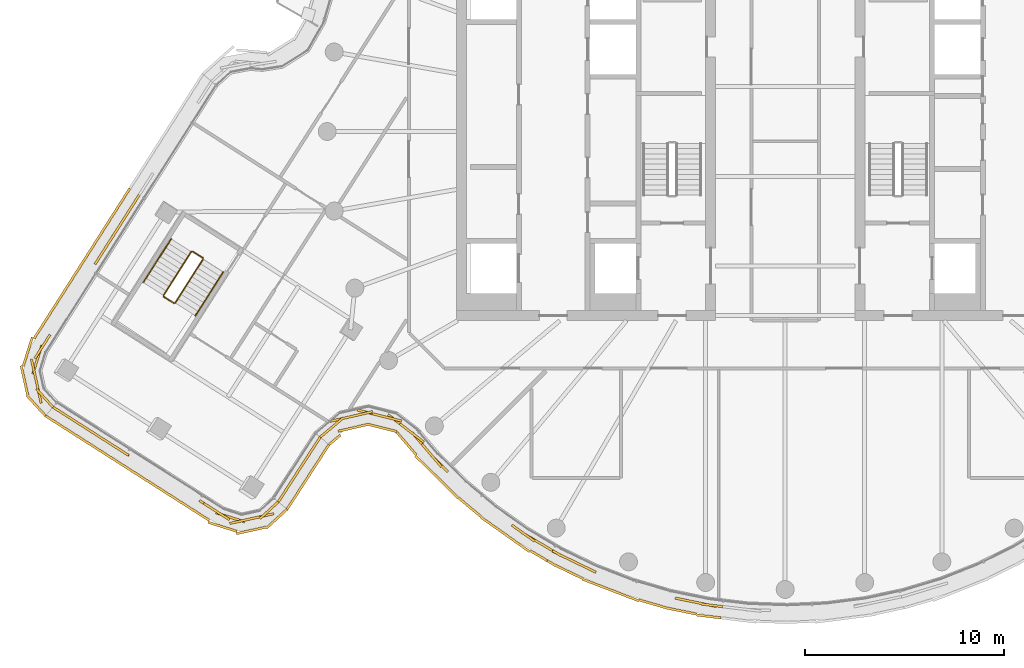
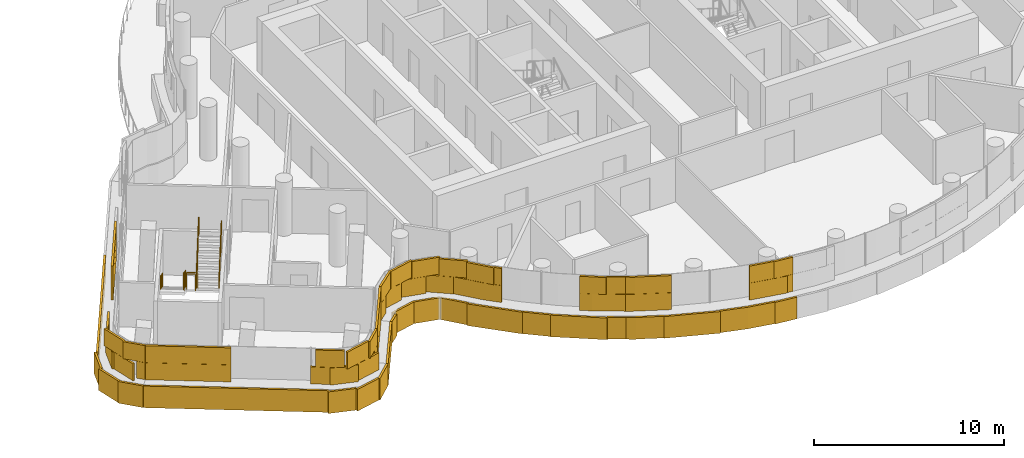
# One storey, part 22 of 27: 6 railings, 5 coverings.
"""IFC4 building model written with IfcOpenShell, lengths in metres."""

from ifc_helpers import new_model, si_unit, direction, frame, origin, origin_2d, place, context, subcontext, project, spatial, rectangle, circle, extrude, material, layer, layer_set, type_object, element, save


model = new_model("IFC4")

# Units and contexts
model_context = context("Model", 3, precision=1e-05, world=origin(), true_north=direction((0.0, 1.0)))
body_context = subcontext(model_context, "Body", "Model", "MODEL_VIEW")
ifc_project = project(units=[si_unit("LENGTHUNIT", "METRE"), si_unit("AREAUNIT", "SQUARE_METRE"), si_unit("VOLUMEUNIT", "CUBIC_METRE"), si_unit("PLANEANGLEUNIT", "RADIAN"), si_unit("MASSUNIT", "GRAM", prefix="KILO")], contexts=[model_context])

# Site, building, storey
site_placement = place(None, origin())
site = spatial("IfcSite", under=ifc_project, at=site_placement, CompositionType="ELEMENT")
building_placement = place(site_placement, origin())
building = spatial("IfcBuilding", under=site, at=building_placement, Name="Tamarind Cross Interchange Tower", CompositionType="ELEMENT")
storey_placement = place(building_placement, frame((0.0, 0.0, 241.5)))
storey = spatial("IfcBuildingStorey", under=building, at=storey_placement, Name="L61", CompositionType="ELEMENT", Elevation=241.5)

# Railings
ifc_material_1 = material(Name="Stair guard")
railing_type_1 = type_object("IfcRailingType", Name="Stair guard", PredefinedType="GUARDRAIL", material=ifc_material_1)
railing_1_placement = place(storey_placement, frame((-29.825927734375, -6.03857421875, 0.16357421875)))
element("IfcRailing", 1, at=railing_1_placement, inside=storey, type_object=railing_type_1, Name="L61 ST5 stair guard 1", PredefinedType="GUARDRAIL", context=body_context, shape_type="SweptSolid", body=[
    extrude(circle(Radius=0.02392578125, at=origin_2d()), frame((0.0, 0.0, 1.076171875), z_axis=(-0.45517316597, -0.71351254491, 0.532651140275), x_axis=(0.843061706432, -0.537816845355, 0.0)), (0.0, 0.0, 1.0), 3.072265625),
    extrude(circle(Radius=0.02099609375, at=origin_2d()), origin(), (0.0, 0.0, 1.0), 1.052001953125),
    extrude(circle(Radius=0.02099609375, at=origin_2d()), frame((-0.466064453125, -0.730712890625, 0.54541015625)), (0.0, 0.0, 1.0), 1.052001953125),
    extrude(circle(Radius=0.02099609375, at=origin_2d()), frame((-0.932373046875, -1.46142578125, 1.091064453125)), (0.0, 0.0, 1.0), 1.052001953125),
    extrude(circle(Radius=0.02099609375, at=origin_2d()), frame((-1.3984375, -2.192138671875, 1.636474609375)), (0.0, 0.0, 1.0), 1.052001953125),
])
railing_2_placement = place(storey_placement, frame((-31.209228515625, -8.299560546875, 1.800048828125)))
element("IfcRailing", 2, at=railing_2_placement, inside=storey, type_object=railing_type_1, Name="L61 ST5 stair guard 2", PredefinedType="GUARDRAIL", context=body_context, shape_type="SweptSolid", body=[
    extrude(circle(Radius=0.02392578125, at=origin_2d()), frame((0.0, 0.0, 1.076171875), z_axis=(0.84302427054, -0.537875523964, 0.0), x_axis=(0.537875523964, 0.84302427054, 0.0)), (0.0, 0.0, 1.0), 0.60009765625),
    extrude(circle(Radius=0.02099609375, at=origin_2d()), origin(), (0.0, 0.0, 1.0), 1.052001953125),
    extrude(circle(Radius=0.02099609375, at=origin_2d()), frame((0.505859375, -0.32275390625, 0.0)), (0.0, 0.0, 1.0), 1.052001953125),
])
railing_3_placement = place(storey_placement, frame((-30.63427734375, -8.607177734375, 1.963623046875)))
element("IfcRailing", 3, at=railing_3_placement, inside=storey, type_object=railing_type_1, Name="L61 ST5 stair guard 3", PredefinedType="GUARDRAIL", context=body_context, shape_type="SweptSolid", body=[
    extrude(circle(Radius=0.02392578125, at=origin_2d()), frame((0.0, 0.0, 1.076171875), z_axis=(0.45517316597, 0.71351254491, 0.532651140275), x_axis=(-0.843061706432, 0.537816845355, 0.0)), (0.0, 0.0, 1.0), 3.072265625),
    extrude(circle(Radius=0.02099609375, at=origin_2d()), origin(), (0.0, 0.0, 1.0), 1.052001953125),
    extrude(circle(Radius=0.02099609375, at=origin_2d()), frame((0.466064453125, 0.730712890625, 0.54541015625)), (0.0, 0.0, 1.0), 1.052001953125),
    extrude(circle(Radius=0.02099609375, at=origin_2d()), frame((0.932373046875, 1.46142578125, 1.091064453125)), (0.0, 0.0, 1.0), 1.052001953125),
    extrude(circle(Radius=0.02099609375, at=origin_2d()), frame((1.3984375, 2.192138671875, 1.636474609375)), (0.0, 0.0, 1.0), 1.052001953125),
])
railing_4_placement = place(storey_placement, frame((-29.757080078125, -6.0234375, 0.0)))
element("IfcRailing", 4, at=railing_4_placement, inside=storey, type_object=railing_type_1, Name="L61 ST5 stair guard 4", PredefinedType="GUARDRAIL", context=body_context, shape_type="SweptSolid", body=[
    extrude(circle(Radius=0.02392578125, at=origin_2d()), frame((0.0, 0.0, 1.076171875), z_axis=(0.84302427054, -0.537875523964, 0.0), x_axis=(0.537875523964, 0.84302427054, 0.0)), (0.0, 0.0, 1.0), 0.60009765625),
    extrude(circle(Radius=0.02099609375, at=origin_2d()), origin(), (0.0, 0.0, 1.0), 1.052001953125),
    extrude(circle(Radius=0.02099609375, at=origin_2d()), frame((0.505859375, -0.32275390625, 0.0)), (0.0, 0.0, 1.0), 1.052001953125),
])
ifc_material_2 = material(Name="Stair handrail")
railing_type_2 = type_object("IfcRailingType", Name="Stair handrail", PredefinedType="HANDRAIL", material=ifc_material_2)
railing_5_placement = place(storey_placement, frame((-30.837646484375, -5.393310546875, 0.16357421875)))
element("IfcRailing", 5, at=railing_5_placement, inside=storey, type_object=railing_type_2, Name="L61 ST5 stair handrail 1", PredefinedType="HANDRAIL", context=body_context, shape_type="SweptSolid", body=[
    extrude(circle(Radius=0.02392578125, at=origin_2d()), frame((0.0, 0.0, 0.8759765625), z_axis=(-0.455198974583, -0.713473532438, 0.532681341939), x_axis=(0.843034545057, -0.537859420147, 0.0)), (0.0, 0.0, 1.0), 3.072265625),
    extrude(circle(Radius=0.02099609375, at=origin_2d()), origin(), (0.0, 0.0, 1.0), 0.851806640625),
    extrude(circle(Radius=0.02099609375, at=origin_2d()), frame((-0.466064453125, -0.730712890625, 0.54541015625)), (0.0, 0.0, 1.0), 0.851806640625),
    extrude(circle(Radius=0.02099609375, at=origin_2d()), frame((-0.932373046875, -1.461181640625, 1.091064453125)), (0.0, 0.0, 1.0), 0.851806640625),
    extrude(circle(Radius=0.02099609375, at=origin_2d()), frame((-1.3984375, -2.19189453125, 1.636474609375)), (0.0, 0.0, 1.0), 0.851806640625),
])
railing_6_placement = place(storey_placement, frame((-29.62255859375, -9.25244140625, 1.963623046875)))
element("IfcRailing", 6, at=railing_6_placement, inside=storey, type_object=railing_type_2, Name="L61 ST5 stair handrail 2", PredefinedType="HANDRAIL", context=body_context, shape_type="SweptSolid", body=[
    extrude(circle(Radius=0.02392578125, at=origin_2d()), frame((0.0, 0.0, 0.8759765625), z_axis=(0.455198974583, 0.713473532438, 0.532681341939), x_axis=(-0.843034545057, 0.537859420147, 0.0)), (0.0, 0.0, 1.0), 3.072265625),
    extrude(circle(Radius=0.02099609375, at=origin_2d()), origin(), (0.0, 0.0, 1.0), 0.851806640625),
    extrude(circle(Radius=0.02099609375, at=origin_2d()), frame((0.466064453125, 0.730712890625, 0.54541015625)), (0.0, 0.0, 1.0), 0.851806640625),
    extrude(circle(Radius=0.02099609375, at=origin_2d()), frame((0.932373046875, 1.461181640625, 1.091064453125)), (0.0, 0.0, 1.0), 0.851806640625),
    extrude(circle(Radius=0.02099609375, at=origin_2d()), frame((1.3984375, 2.19189453125, 1.636474609375)), (0.0, 0.0, 1.0), 0.851806640625),
])

# Coverings
ifc_material_3 = material(Name="Terracotta", Category="masonry")
ifc_layer = layer(ifc_material_3, 0.1201171875)
ifc_layer_set = layer_set([ifc_layer], Name="Terracotta")
covering_type = type_object("IfcCoveringType", Name="Terracotta baguette screen unit", PredefinedType="MOLDING", material=ifc_layer_set)
covering_1_placement = place(storey_placement, origin())
element("IfcCovering", 7, at=covering_1_placement, inside=storey, type_object=covering_type, Name="SCR-L61-00-00", PredefinedType="MOLDING", context=body_context, shape_type="SweptSolid", body=[
    extrude(rectangle(XDim=0.760009765625, YDim=0.1201171875, at=origin_2d()), frame((-36.458251953125, -14.042236328125, 1.40380859375), z_axis=(0.0, 0.0, 1.0), x_axis=(0.843053684056, -0.537829420727, 0.0)), (0.0, 0.0, 1.0), 1.092041015625),
    extrude(rectangle(XDim=1.52001953125, YDim=0.1201171875, at=origin_2d()), frame((-35.509765625, -14.647216796875, 1.40380859375), z_axis=(0.0, 0.0, 1.0), x_axis=(0.843053684056, -0.537829420727, 0.0)), (0.0, 0.0, 1.0), 1.092041015625),
    extrude(rectangle(XDim=1.52001953125, YDim=0.1201171875, at=origin_2d()), frame((-34.245361328125, -15.453857421875, 1.40380859375), z_axis=(0.0, 0.0, 1.0), x_axis=(0.843053684056, -0.537829420727, 0.0)), (0.0, 0.0, 1.0), 1.092041015625),
    extrude(rectangle(XDim=0.78466796875, YDim=0.1201171875, at=origin_2d()), frame((-33.286376953125, -16.065673828125, 1.40380859375), z_axis=(0.0, 0.0, 1.0), x_axis=(0.843053684056, -0.537829420727, 0.0)), (0.0, 0.0, 1.0), 1.092041015625),
    extrude(rectangle(XDim=1.035400390625, YDim=0.1201171875, at=origin_2d()), frame((-28.98681640625, -18.80859375, 1.40380859375), z_axis=(0.0, 0.0, 1.0), x_axis=(0.843053684056, -0.537829420727, 0.0)), (0.0, 0.0, 1.0), 1.092041015625),
    extrude(rectangle(XDim=1.52001953125, YDim=0.1201171875, at=origin_2d()), frame((-27.869873046875, -19.375, 1.40380859375), z_axis=(0.0, 0.0, 1.0), x_axis=(0.953527823478, -0.301304978141, 0.0)), (0.0, 0.0, 1.0), 1.092041015625),
    extrude(rectangle(XDim=1.52001953125, YDim=0.1201171875, at=origin_2d()), frame((-26.418701171875, -19.35888671875, 1.40380859375), z_axis=(0.0, 0.0, 1.0), x_axis=(0.976431807418, 0.215826146382, 0.0)), (0.0, 0.0, 1.0), 1.092041015625),
    extrude(rectangle(XDim=0.50927734375, YDim=0.1201171875, at=origin_2d()), frame((-25.638671875, -18.765869140625, 1.40380859375), z_axis=(0.0, 0.0, 1.0), x_axis=(0.737701677096, 0.675126829277, 0.0)), (0.0, 0.0, 1.0), 1.092041015625),
    extrude(rectangle(XDim=1.510009765625, YDim=0.1201171875, at=origin_2d()), frame((-36.14208984375, -14.243896484375, 2.50390625), z_axis=(0.0, 0.0, 1.0), x_axis=(0.843053684056, -0.537829420727, 0.0)), (0.0, 0.0, 1.0), 1.092041015625),
    extrude(rectangle(XDim=1.52001953125, YDim=0.1201171875, at=origin_2d()), frame((-34.877685546875, -15.050537109375, 2.50390625), z_axis=(0.0, 0.0, 1.0), x_axis=(0.843053684056, -0.537829420727, 0.0)), (0.0, 0.0, 1.0), 1.092041015625),
    extrude(rectangle(XDim=1.52001953125, YDim=0.1201171875, at=origin_2d()), frame((-33.613037109375, -15.857421875, 2.50390625), z_axis=(0.0, 0.0, 1.0), x_axis=(0.843053684056, -0.537829420727, 0.0)), (0.0, 0.0, 1.0), 1.092041015625),
    extrude(rectangle(XDim=1.52001953125, YDim=0.1201171875, at=origin_2d()), frame((-28.5546875, -19.084228515625, 2.50390625), z_axis=(0.0, 0.0, 1.0), x_axis=(0.843053684056, -0.537829420727, 0.0)), (0.0, 0.0, 1.0), 1.092041015625),
    extrude(rectangle(XDim=1.52001953125, YDim=0.1201171875, at=origin_2d()), frame((-27.151123046875, -19.520751953125, 2.50390625), z_axis=(0.0, 0.0, 1.0), x_axis=(0.976431807418, 0.215826146382, 0.0)), (0.0, 0.0, 1.0), 1.092041015625),
    extrude(rectangle(XDim=1.25927734375, YDim=0.1201171875, at=origin_2d()), frame((-25.915283203125, -19.01904296875, 2.50390625), z_axis=(0.0, 0.0, 1.0), x_axis=(0.737701677096, 0.675126829277, 0.0)), (0.0, 0.0, 1.0), 1.092041015625),
    extrude(rectangle(XDim=0.760009765625, YDim=0.1201171875, at=origin_2d()), frame((-36.826416015625, -14.488037109375, 0.00390625), z_axis=(0.0, 0.0, 1.0), x_axis=(0.843053684056, -0.537829420727, 0.0)), (0.0, 0.0, 1.0), 1.39208984375),
    extrude(rectangle(XDim=1.52001953125, YDim=0.1201171875, at=origin_2d()), frame((-35.88232421875, -15.090576171875, 0.00390625), z_axis=(0.0, 0.0, 1.0), x_axis=(0.843053684056, -0.537829420727, 0.0)), (0.0, 0.0, 1.0), 1.39208984375),
    extrude(rectangle(XDim=1.52001953125, YDim=0.1201171875, at=origin_2d()), frame((-34.61767578125, -15.897216796875, 0.00390625), z_axis=(0.0, 0.0, 1.0), x_axis=(0.843053684056, -0.537829420727, 0.0)), (0.0, 0.0, 1.0), 1.39208984375),
    extrude(rectangle(XDim=1.52001953125, YDim=0.1201171875, at=origin_2d()), frame((-33.35302734375, -16.703857421875, 0.00390625), z_axis=(0.0, 0.0, 1.0), x_axis=(0.843053684056, -0.537829420727, 0.0)), (0.0, 0.0, 1.0), 1.39208984375),
    extrude(rectangle(XDim=1.52001953125, YDim=0.1201171875, at=origin_2d()), frame((-32.088623046875, -17.5107421875, 0.00390625), z_axis=(0.0, 0.0, 1.0), x_axis=(0.843053684056, -0.537829420727, 0.0)), (0.0, 0.0, 1.0), 1.39208984375),
    extrude(rectangle(XDim=1.52001953125, YDim=0.1201171875, at=origin_2d()), frame((-30.823974609375, -18.3173828125, 0.00390625), z_axis=(0.0, 0.0, 1.0), x_axis=(0.843053684056, -0.537829420727, 0.0)), (0.0, 0.0, 1.0), 1.39208984375),
    extrude(rectangle(XDim=1.52001953125, YDim=0.1201171875, at=origin_2d()), frame((-29.559326171875, -19.124267578125, 0.00390625), z_axis=(0.0, 0.0, 1.0), x_axis=(0.843053684056, -0.537829420727, 0.0)), (0.0, 0.0, 1.0), 1.39208984375),
    extrude(rectangle(XDim=1.52001953125, YDim=0.1201171875, at=origin_2d()), frame((-28.2587890625, -19.85400390625, 0.00390625), z_axis=(0.0, 0.0, 1.0), x_axis=(0.953527823478, -0.301304978141, 0.0)), (0.0, 0.0, 1.0), 1.39208984375),
    extrude(rectangle(XDim=1.52001953125, YDim=0.1201171875, at=origin_2d()), frame((-26.816650390625, -20.03466796875, 0.00390625), z_axis=(0.0, 0.0, 1.0), x_axis=(0.976431807418, 0.215826146382, 0.0)), (0.0, 0.0, 1.0), 1.39208984375),
    extrude(rectangle(XDim=1.4248046875, YDim=0.1201171875, at=origin_2d()), frame((-25.538330078125, -19.4521484375, 0.00390625), z_axis=(0.0, 0.0, 1.0), x_axis=(0.737701677096, 0.675126829277, 0.0)), (0.0, 0.0, 1.0), 1.39208984375),
])
covering_2_placement = place(storey_placement, origin())
element("IfcCovering", 8, at=covering_2_placement, inside=storey, type_object=covering_type, Name="SCR-L61-01-00", PredefinedType="MOLDING", context=body_context, shape_type="SweptSolid", body=[
    extrude(rectangle(XDim=0.760009765625, YDim=0.1201171875, at=origin_2d()), frame((-25.25048828125, -18.28271484375, 1.40380859375), z_axis=(0.0, 0.0, 1.0), x_axis=(0.543720691858, 0.839266232638, 0.0)), (0.0, 0.0, 1.0), 1.092041015625),
    extrude(rectangle(XDim=1.52001953125, YDim=0.1201171875, at=origin_2d()), frame((-24.638916015625, -17.338623046875, 1.40380859375), z_axis=(0.0, 0.0, 1.0), x_axis=(0.543720691858, 0.839266232638, 0.0)), (0.0, 0.0, 1.0), 1.092041015625),
    extrude(rectangle(XDim=1.52001953125, YDim=0.1201171875, at=origin_2d()), frame((-23.8232421875, -16.07958984375, 1.40380859375), z_axis=(0.0, 0.0, 1.0), x_axis=(0.543720691858, 0.839266232638, 0.0)), (0.0, 0.0, 1.0), 1.092041015625),
    extrude(rectangle(XDim=0.1318359375, YDim=0.1201171875, at=origin_2d()), frame((-23.38232421875, -15.39892578125, 1.40380859375), z_axis=(0.0, 0.0, 1.0), x_axis=(0.543720691858, 0.839266232638, 0.0)), (0.0, 0.0, 1.0), 1.092041015625),
    extrude(rectangle(XDim=1.510009765625, YDim=0.1201171875, at=origin_2d()), frame((-25.046630859375, -17.968017578125, 2.50390625), z_axis=(0.0, 0.0, 1.0), x_axis=(0.543720691858, 0.839266232638, 0.0)), (0.0, 0.0, 1.0), 1.092041015625),
    extrude(rectangle(XDim=1.52001953125, YDim=0.1201171875, at=origin_2d()), frame((-24.231201171875, -16.708984375, 2.50390625), z_axis=(0.0, 0.0, 1.0), x_axis=(0.543720691858, 0.839266232638, 0.0)), (0.0, 0.0, 1.0), 1.092041015625),
    extrude(rectangle(XDim=0.8818359375, YDim=0.1201171875, at=origin_2d()), frame((-23.586181640625, -15.7138671875, 2.50390625), z_axis=(0.0, 0.0, 1.0), x_axis=(0.543720691858, 0.839266232638, 0.0)), (0.0, 0.0, 1.0), 1.092041015625),
    extrude(rectangle(XDim=0.760009765625, YDim=0.1201171875, at=origin_2d()), frame((-24.80615234375, -18.65234375, 0.00390625), z_axis=(0.0, 0.0, 1.0), x_axis=(0.543720691858, 0.839266232638, 0.0)), (0.0, 0.0, 1.0), 1.39208984375),
    extrude(rectangle(XDim=1.52001953125, YDim=0.1201171875, at=origin_2d()), frame((-24.197265625, -17.71240234375, 0.00390625), z_axis=(0.0, 0.0, 1.0), x_axis=(0.543720691858, 0.839266232638, 0.0)), (0.0, 0.0, 1.0), 1.39208984375),
    extrude(rectangle(XDim=1.52001953125, YDim=0.1201171875, at=origin_2d()), frame((-23.381591796875, -16.453369140625, 0.00390625), z_axis=(0.0, 0.0, 1.0), x_axis=(0.543720691858, 0.839266232638, 0.0)), (0.0, 0.0, 1.0), 1.39208984375),
    extrude(rectangle(XDim=0.119140625, YDim=0.1201171875, at=origin_2d()), frame((-22.94677734375, -15.782470703125, 0.00390625), z_axis=(0.0, 0.0, 1.0), x_axis=(0.543720691858, 0.839266232638, 0.0)), (0.0, 0.0, 1.0), 1.39208984375),
])
covering_3_placement = place(storey_placement, origin())
element("IfcCovering", 9, at=covering_3_placement, inside=storey, type_object=covering_type, Name="SCR-L61-02-00", PredefinedType="MOLDING", context=body_context, shape_type="SweptSolid", body=[
    extrude(rectangle(XDim=0.760009765625, YDim=0.1201171875, at=origin_2d()), frame((-23.06201171875, -15.10693359375, 1.40380859375), z_axis=(0.0, 0.0, 1.0), x_axis=(0.766285968599, 0.642499660956, 0.0)), (0.0, 0.0, 1.0), 1.092041015625),
    extrude(rectangle(XDim=1.52001953125, YDim=0.1201171875, at=origin_2d()), frame((-22.189697265625, -14.404541015625, 1.40380859375), z_axis=(0.0, 0.0, 1.0), x_axis=(0.975045334286, 0.222005846966, 0.0)), (0.0, 0.0, 1.0), 1.092041015625),
    extrude(rectangle(XDim=1.52001953125, YDim=0.1201171875, at=origin_2d()), frame((-20.728271484375, -14.17431640625, 1.40380859375), z_axis=(0.0, 0.0, 1.0), x_axis=(0.970408200785, -0.241470337411, 0.0)), (0.0, 0.0, 1.0), 1.092041015625),
    extrude(rectangle(XDim=1.52001953125, YDim=0.1201171875, at=origin_2d()), frame((-19.342529296875, -14.681396484375, 1.40380859375), z_axis=(0.0, 0.0, 1.0), x_axis=(0.792703528134, -0.609607346153, 0.0)), (0.0, 0.0, 1.0), 1.092041015625),
    extrude(rectangle(XDim=1.52001953125, YDim=0.1201171875, at=origin_2d()), frame((-18.24609375, -15.693359375, 1.40380859375), z_axis=(0.0, 0.0, 1.0), x_axis=(0.650429884997, -0.7595663004, 0.0)), (0.0, 0.0, 1.0), 1.092041015625),
    extrude(rectangle(XDim=1.167724609375, YDim=0.1201171875, at=origin_2d()), frame((-17.357177734375, -16.679931640625, 1.40380859375), z_axis=(0.0, 0.0, 1.0), x_axis=(0.710143317658, -0.704057148523, 0.0)), (0.0, 0.0, 1.0), 1.092041015625),
    extrude(rectangle(XDim=0.65234375, YDim=0.1201171875, at=origin_2d()), frame((-13.4619140625, -19.955322265625, 1.40380859375), z_axis=(0.0, 0.0, 1.0), x_axis=(0.816341886298, -0.577568978284, 0.0)), (0.0, 0.0, 1.0), 1.092041015625),
    extrude(rectangle(XDim=1.52001953125, YDim=0.1201171875, at=origin_2d()), frame((-12.559814453125, -20.531494140625, 1.40380859375), z_axis=(0.0, 0.0, 1.0), x_axis=(0.861248933065, -0.508183308752, 0.0)), (0.0, 0.0, 1.0), 1.092041015625),
    extrude(rectangle(XDim=0.2841796875, YDim=0.1201171875, at=origin_2d()), frame((-11.7958984375, -20.982177734375, 1.40380859375), z_axis=(0.0, 0.0, 1.0), x_axis=(0.861248933065, -0.508183308752, 0.0)), (0.0, 0.0, 1.0), 1.092041015625),
    extrude(rectangle(XDim=1.510009765625, YDim=0.1201171875, at=origin_2d()), frame((-22.774658203125, -14.865966796875, 2.50390625), z_axis=(0.0, 0.0, 1.0), x_axis=(0.766285968599, 0.642499660956, 0.0)), (0.0, 0.0, 1.0), 1.092041015625),
    extrude(rectangle(XDim=1.52001953125, YDim=0.1201171875, at=origin_2d()), frame((-21.45849609375, -14.238037109375, 2.50390625), z_axis=(0.0, 0.0, 1.0), x_axis=(0.975045334286, 0.222005846966, 0.0)), (0.0, 0.0, 1.0), 1.092041015625),
    extrude(rectangle(XDim=1.52001953125, YDim=0.1201171875, at=origin_2d()), frame((-20.00048828125, -14.35546875, 2.50390625), z_axis=(0.0, 0.0, 1.0), x_axis=(0.970408200785, -0.241470337411, 0.0)), (0.0, 0.0, 1.0), 1.092041015625),
    extrude(rectangle(XDim=1.52001953125, YDim=0.1201171875, at=origin_2d()), frame((-18.747802734375, -15.138427734375, 2.50390625), z_axis=(0.0, 0.0, 1.0), x_axis=(0.792703528134, -0.609607346153, 0.0)), (0.0, 0.0, 1.0), 1.092041015625),
    extrude(rectangle(XDim=1.52001953125, YDim=0.1201171875, at=origin_2d()), frame((-17.75830078125, -16.26318359375, 2.50390625), z_axis=(0.0, 0.0, 1.0), x_axis=(0.650429884997, -0.7595663004, 0.0)), (0.0, 0.0, 1.0), 1.092041015625),
    extrude(rectangle(XDim=0.417724609375, YDim=0.1201171875, at=origin_2d()), frame((-17.0908203125, -16.94384765625, 2.50390625), z_axis=(0.0, 0.0, 1.0), x_axis=(0.710143317658, -0.704057148523, 0.0)), (0.0, 0.0, 1.0), 1.092041015625),
    extrude(rectangle(XDim=1.40234375, YDim=0.1201171875, at=origin_2d()), frame((-13.15576171875, -20.171875, 2.50390625), z_axis=(0.0, 0.0, 1.0), x_axis=(0.816341886298, -0.577568978284, 0.0)), (0.0, 0.0, 1.0), 1.092041015625),
    extrude(rectangle(XDim=1.0341796875, YDim=0.1201171875, at=origin_2d()), frame((-12.118896484375, -20.791748046875, 2.50390625), z_axis=(0.0, 0.0, 1.0), x_axis=(0.861248933065, -0.508183308752, 0.0)), (0.0, 0.0, 1.0), 1.092041015625),
    extrude(rectangle(XDim=0.760009765625, YDim=0.1201171875, at=origin_2d()), frame((-22.623291015625, -15.48828125, 0.00390625), z_axis=(0.0, 0.0, 1.0), x_axis=(0.766285968599, 0.642499660956, 0.0)), (0.0, 0.0, 1.0), 1.39208984375),
    extrude(rectangle(XDim=1.52001953125, YDim=0.1201171875, at=origin_2d()), frame((-21.7080078125, -14.883544921875, 0.00390625), z_axis=(0.0, 0.0, 1.0), x_axis=(0.975045334286, 0.222005846966, 0.0)), (0.0, 0.0, 1.0), 1.39208984375),
    extrude(rectangle(XDim=1.52001953125, YDim=0.1201171875, at=origin_2d()), frame((-20.248779296875, -14.88525390625, 0.00390625), z_axis=(0.0, 0.0, 1.0), x_axis=(0.970408200785, -0.241470337411, 0.0)), (0.0, 0.0, 1.0), 1.39208984375),
    extrude(rectangle(XDim=1.52001953125, YDim=0.1201171875, at=origin_2d()), frame((-19.010009765625, -15.683837890625, 0.00390625), z_axis=(0.0, 0.0, 1.0), x_axis=(0.650429884997, -0.7595663004, 0.0)), (0.0, 0.0, 1.0), 1.39208984375),
    extrude(rectangle(XDim=1.52001953125, YDim=0.1201171875, at=origin_2d()), frame((-18.031005859375, -16.820068359375, 0.00390625), z_axis=(0.0, 0.0, 1.0), x_axis=(0.710143317658, -0.704057148523, 0.0)), (0.0, 0.0, 1.0), 1.39208984375),
    extrude(rectangle(XDim=1.52001953125, YDim=0.1201171875, at=origin_2d()), frame((-16.965576171875, -17.876220703125, 0.00390625), z_axis=(0.0, 0.0, 1.0), x_axis=(0.710143317658, -0.704057148523, 0.0)), (0.0, 0.0, 1.0), 1.39208984375),
    extrude(rectangle(XDim=1.52001953125, YDim=0.1201171875, at=origin_2d()), frame((-15.84375, -18.8701171875, 0.00390625), z_axis=(0.0, 0.0, 1.0), x_axis=(0.765858396687, -0.643009266048, 0.0)), (0.0, 0.0, 1.0), 1.39208984375),
    extrude(rectangle(XDim=1.52001953125, YDim=0.1201171875, at=origin_2d()), frame((-14.670654296875, -19.80322265625, 0.00390625), z_axis=(0.0, 0.0, 1.0), x_axis=(0.816341886298, -0.577568978284, 0.0)), (0.0, 0.0, 1.0), 1.39208984375),
    extrude(rectangle(XDim=1.52001953125, YDim=0.1201171875, at=origin_2d()), frame((-13.4462890625, -20.66943359375, 0.00390625), z_axis=(0.0, 0.0, 1.0), x_axis=(0.816341886298, -0.577568978284, 0.0)), (0.0, 0.0, 1.0), 1.39208984375),
    extrude(rectangle(XDim=0.99267578125, YDim=0.1201171875, at=origin_2d()), frame((-12.384033203125, -21.3017578125, 0.00390625), z_axis=(0.0, 0.0, 1.0), x_axis=(0.861248933065, -0.508183308752, 0.0)), (0.0, 0.0, 1.0), 1.39208984375),
])
covering_4_placement = place(storey_placement, origin())
element("IfcCovering", 10, at=covering_4_placement, inside=storey, type_object=covering_type, Name="SCR-L61-02-01", PredefinedType="MOLDING", context=body_context, shape_type="SweptSolid", body=[
    extrude(rectangle(XDim=1.23583984375, YDim=0.1201171875, at=origin_2d()), frame((-11.139892578125, -21.344482421875, 1.40380859375), z_axis=(0.0, 0.0, 1.0), x_axis=(0.900272776334, -0.435326231914, 0.0)), (0.0, 0.0, 1.0), 1.092041015625),
    extrude(rectangle(XDim=1.205322265625, YDim=0.1201171875, at=origin_2d()), frame((-10.050048828125, -21.87158203125, 1.40380859375), z_axis=(0.0, 0.0, 1.0), x_axis=(0.900272776334, -0.435326231914, 0.0)), (0.0, 0.0, 1.0), 1.092041015625),
    extrude(rectangle(XDim=0.614501953125, YDim=0.1201171875, at=origin_2d()), frame((-5.2275390625, -23.494140625, 1.40380859375), z_axis=(0.0, 0.0, 1.0), x_axis=(0.9795909409, -0.201001463943, 0.0)), (0.0, 0.0, 1.0), 1.092041015625),
    extrude(rectangle(XDim=1.52001953125, YDim=0.1201171875, at=origin_2d()), frame((-4.19677734375, -23.705810546875, 1.40380859375), z_axis=(0.0, 0.0, 1.0), x_axis=(0.9795909409, -0.201001463943, 0.0)), (0.0, 0.0, 1.0), 1.092041015625),
    extrude(rectangle(XDim=0.32666015625, YDim=0.1201171875, at=origin_2d()), frame((-3.299560546875, -23.842041015625, 1.40380859375), z_axis=(0.0, 0.0, 1.0), x_axis=(0.992843710523, -0.119420963295, 0.0)), (0.0, 0.0, 1.0), 1.092041015625),
    extrude(rectangle(XDim=0.48583984375, YDim=0.1201171875, at=origin_2d()), frame((-11.472900390625, -21.1728515625, 2.50390625), z_axis=(0.0, 0.0, 1.0), x_axis=(0.861248933065, -0.508183308752, 0.0)), (0.0, 0.0, 1.0), 1.092041015625),
    extrude(rectangle(XDim=1.52001953125, YDim=0.1201171875, at=origin_2d()), frame((-10.588134765625, -21.611328125, 2.50390625), z_axis=(0.0, 0.0, 1.0), x_axis=(0.900272776334, -0.435326231914, 0.0)), (0.0, 0.0, 1.0), 1.092041015625),
    extrude(rectangle(XDim=0.455322265625, YDim=0.1201171875, at=origin_2d()), frame((-9.71240234375, -22.034912109375, 2.50390625), z_axis=(0.0, 0.0, 1.0), x_axis=(0.900272776334, -0.435326231914, 0.0)), (0.0, 0.0, 1.0), 1.092041015625),
    extrude(rectangle(XDim=1.364501953125, YDim=0.1201171875, at=origin_2d()), frame((-4.8603515625, -23.569580078125, 2.50390625), z_axis=(0.0, 0.0, 1.0), x_axis=(0.9795909409, -0.201001463943, 0.0)), (0.0, 0.0, 1.0), 1.092041015625),
    extrude(rectangle(XDim=1.07666015625, YDim=0.1201171875, at=origin_2d()), frame((-3.671875, -23.79736328125, 2.50390625), z_axis=(0.0, 0.0, 1.0), x_axis=(0.992843710523, -0.119420963295, 0.0)), (0.0, 0.0, 1.0), 1.092041015625),
    extrude(rectangle(XDim=0.52734375, YDim=0.1201171875, at=origin_2d()), frame((-11.7294921875, -21.68798828125, 0.00390625), z_axis=(0.0, 0.0, 1.0), x_axis=(0.861248933065, -0.508183308752, 0.0)), (0.0, 0.0, 1.0), 1.39208984375),
    extrude(rectangle(XDim=1.52001953125, YDim=0.1201171875, at=origin_2d()), frame((-10.829833984375, -22.132080078125, 0.00390625), z_axis=(0.0, 0.0, 1.0), x_axis=(0.900272776334, -0.435326231914, 0.0)), (0.0, 0.0, 1.0), 1.39208984375),
    extrude(rectangle(XDim=1.52001953125, YDim=0.1201171875, at=origin_2d()), frame((-9.46728515625, -22.75732421875, 0.00390625), z_axis=(0.0, 0.0, 1.0), x_axis=(0.933146843667, -0.359495435512, 0.0)), (0.0, 0.0, 1.0), 1.39208984375),
    extrude(rectangle(XDim=1.52001953125, YDim=0.1201171875, at=origin_2d()), frame((-8.067626953125, -23.296630859375, 0.00390625), z_axis=(0.0, 0.0, 1.0), x_axis=(0.933146843667, -0.359495435512, 0.0)), (0.0, 0.0, 1.0), 1.39208984375),
    extrude(rectangle(XDim=1.52001953125, YDim=0.1201171875, at=origin_2d()), frame((-6.632568359375, -23.73193359375, 0.00390625), z_axis=(0.0, 0.0, 1.0), x_axis=(0.95964657186, -0.281208920763, 0.0)), (0.0, 0.0, 1.0), 1.39208984375),
    extrude(rectangle(XDim=1.52001953125, YDim=0.1201171875, at=origin_2d()), frame((-5.177490234375, -24.09033203125, 0.00390625), z_axis=(0.0, 0.0, 1.0), x_axis=(0.9795909409, -0.201001463943, 0.0)), (0.0, 0.0, 1.0), 1.39208984375),
    extrude(rectangle(XDim=1.2509765625, YDim=0.1201171875, at=origin_2d()), frame((-3.83837890625, -24.35546875, 0.00390625), z_axis=(0.0, 0.0, 1.0), x_axis=(0.992843710523, -0.119420963295, 0.0)), (0.0, 0.0, 1.0), 1.39208984375),
])
covering_5_placement = place(storey_placement, origin())
element("IfcCovering", 11, at=covering_5_placement, inside=storey, type_object=covering_type, Name="SCR-L61-07-01", PredefinedType="MOLDING", context=body_context, shape_type="SweptSolid", body=[
    extrude(rectangle(XDim=1.50390625, YDim=0.1201171875, at=origin_2d()), frame((-32.841796875, -3.81201171875, 1.40380859375), z_axis=(0.0, 0.0, 1.0), x_axis=(-0.537829420727, -0.843053684056, 0.0)), (0.0, 0.0, 1.0), 1.092041015625),
    extrude(rectangle(XDim=1.52001953125, YDim=0.1201171875, at=origin_2d()), frame((-33.64697265625, -5.07421875, 1.40380859375), z_axis=(0.0, 0.0, 1.0), x_axis=(-0.537829420727, -0.843053684056, 0.0)), (0.0, 0.0, 1.0), 1.092041015625),
    extrude(rectangle(XDim=1.148193359375, YDim=0.1201171875, at=origin_2d()), frame((-34.3564453125, -6.186279296875, 1.40380859375), z_axis=(0.0, 0.0, 1.0), x_axis=(-0.537829420727, -0.843053684056, 0.0)), (0.0, 0.0, 1.0), 1.092041015625),
    extrude(rectangle(XDim=0.671875, YDim=0.1201171875, at=origin_2d()), frame((-37.099365234375, -10.48583984375, 1.40380859375), z_axis=(0.0, 0.0, 1.0), x_axis=(-0.537829420727, -0.843053684056, 0.0)), (0.0, 0.0, 1.0), 1.092041015625),
    extrude(rectangle(XDim=1.52001953125, YDim=0.1201171875, at=origin_2d()), frame((-37.56103515625, -11.452880859375, 1.40380859375), z_axis=(0.0, 0.0, 1.0), x_axis=(-0.301304978141, -0.953527823478, 0.0)), (0.0, 0.0, 1.0), 1.092041015625),
    extrude(rectangle(XDim=1.52001953125, YDim=0.1201171875, at=origin_2d()), frame((-37.52978515625, -12.904541015625, 1.40380859375), z_axis=(0.0, 0.0, 1.0), x_axis=(0.215826146382, -0.976431807418, 0.0)), (0.0, 0.0, 1.0), 1.092041015625),
    extrude(rectangle(XDim=0.48046875, YDim=0.1201171875, at=origin_2d()), frame((-36.933349609375, -13.6669921875, 1.40380859375), z_axis=(0.0, 0.0, 1.0), x_axis=(0.675126829277, -0.737701677096, 0.0)), (0.0, 0.0, 1.0), 1.092041015625),
    extrude(rectangle(XDim=0.75390625, YDim=0.1201171875, at=origin_2d()), frame((-32.64013671875, -3.495849609375, 2.50390625), z_axis=(0.0, 0.0, 1.0), x_axis=(-0.537829420727, -0.843053684056, 0.0)), (0.0, 0.0, 1.0), 1.092041015625),
    extrude(rectangle(XDim=1.52001953125, YDim=0.1201171875, at=origin_2d()), frame((-33.24365234375, -4.44189453125, 2.50390625), z_axis=(0.0, 0.0, 1.0), x_axis=(-0.537829420727, -0.843053684056, 0.0)), (0.0, 0.0, 1.0), 1.092041015625),
    extrude(rectangle(XDim=1.52001953125, YDim=0.1201171875, at=origin_2d()), frame((-34.05029296875, -5.70654296875, 2.50390625), z_axis=(0.0, 0.0, 1.0), x_axis=(-0.537829420727, -0.843053684056, 0.0)), (0.0, 0.0, 1.0), 1.092041015625),
    extrude(rectangle(XDim=0.398193359375, YDim=0.1201171875, at=origin_2d()), frame((-34.55810546875, -6.50244140625, 2.50390625), z_axis=(0.0, 0.0, 1.0), x_axis=(-0.537829420727, -0.843053684056, 0.0)), (0.0, 0.0, 1.0), 1.092041015625),
    extrude(rectangle(XDim=1.421875, YDim=0.1201171875, at=origin_2d()), frame((-37.301025390625, -10.802001953125, 2.50390625), z_axis=(0.0, 0.0, 1.0), x_axis=(-0.537829420727, -0.843053684056, 0.0)), (0.0, 0.0, 1.0), 1.092041015625),
    extrude(rectangle(XDim=1.52001953125, YDim=0.1201171875, at=origin_2d()), frame((-37.691650390625, -12.17236328125, 2.50390625), z_axis=(0.0, 0.0, 1.0), x_axis=(0.215826146382, -0.976431807418, 0.0)), (0.0, 0.0, 1.0), 1.092041015625),
    extrude(rectangle(XDim=1.23046875, YDim=0.1201171875, at=origin_2d()), frame((-37.1865234375, -13.390380859375, 2.50390625), z_axis=(0.0, 0.0, 1.0), x_axis=(0.675126829277, -0.737701677096, 0.0)), (0.0, 0.0, 1.0), 1.092041015625),
    extrude(rectangle(XDim=1.43896484375, YDim=0.1201171875, at=origin_2d()), frame((-33.3037109375, -3.46875, 0.00390625), z_axis=(0.0, 0.0, 1.0), x_axis=(-0.537829420727, -0.843053684056, 0.0)), (0.0, 0.0, 1.0), 1.39208984375),
    extrude(rectangle(XDim=1.52001953125, YDim=0.1201171875, at=origin_2d()), frame((-34.088623046875, -4.69921875, 0.00390625), z_axis=(0.0, 0.0, 1.0), x_axis=(-0.537829420727, -0.843053684056, 0.0)), (0.0, 0.0, 1.0), 1.39208984375),
    extrude(rectangle(XDim=1.52001953125, YDim=0.1201171875, at=origin_2d()), frame((-34.8955078125, -5.9638671875, 0.00390625), z_axis=(0.0, 0.0, 1.0), x_axis=(-0.537829420727, -0.843053684056, 0.0)), (0.0, 0.0, 1.0), 1.39208984375),
    extrude(rectangle(XDim=1.52001953125, YDim=0.1201171875, at=origin_2d()), frame((-35.7021484375, -7.228271484375, 0.00390625), z_axis=(0.0, 0.0, 1.0), x_axis=(-0.537829420727, -0.843053684056, 0.0)), (0.0, 0.0, 1.0), 1.39208984375),
    extrude(rectangle(XDim=1.52001953125, YDim=0.1201171875, at=origin_2d()), frame((-36.5087890625, -8.492919921875, 0.00390625), z_axis=(0.0, 0.0, 1.0), x_axis=(-0.537829420727, -0.843053684056, 0.0)), (0.0, 0.0, 1.0), 1.39208984375),
    extrude(rectangle(XDim=1.52001953125, YDim=0.1201171875, at=origin_2d()), frame((-37.315673828125, -9.757568359375, 0.00390625), z_axis=(0.0, 0.0, 1.0), x_axis=(-0.537829420727, -0.843053684056, 0.0)), (0.0, 0.0, 1.0), 1.39208984375),
    extrude(rectangle(XDim=1.52001953125, YDim=0.1201171875, at=origin_2d()), frame((-38.039306640625, -11.06103515625, 0.00390625), z_axis=(0.0, 0.0, 1.0), x_axis=(-0.301304978141, -0.953527823478, 0.0)), (0.0, 0.0, 1.0), 1.39208984375),
    extrude(rectangle(XDim=1.52001953125, YDim=0.1201171875, at=origin_2d()), frame((-38.206298828125, -12.50390625, 0.00390625), z_axis=(0.0, 0.0, 1.0), x_axis=(0.215826146382, -0.976431807418, 0.0)), (0.0, 0.0, 1.0), 1.39208984375),
    extrude(rectangle(XDim=1.40087890625, YDim=0.1201171875, at=origin_2d()), frame((-37.61962890625, -13.76708984375, 0.00390625), z_axis=(0.0, 0.0, 1.0), x_axis=(0.675126829277, -0.737701677096, 0.0)), (0.0, 0.0, 1.0), 1.39208984375),
])

save(model, "model.ifc")
